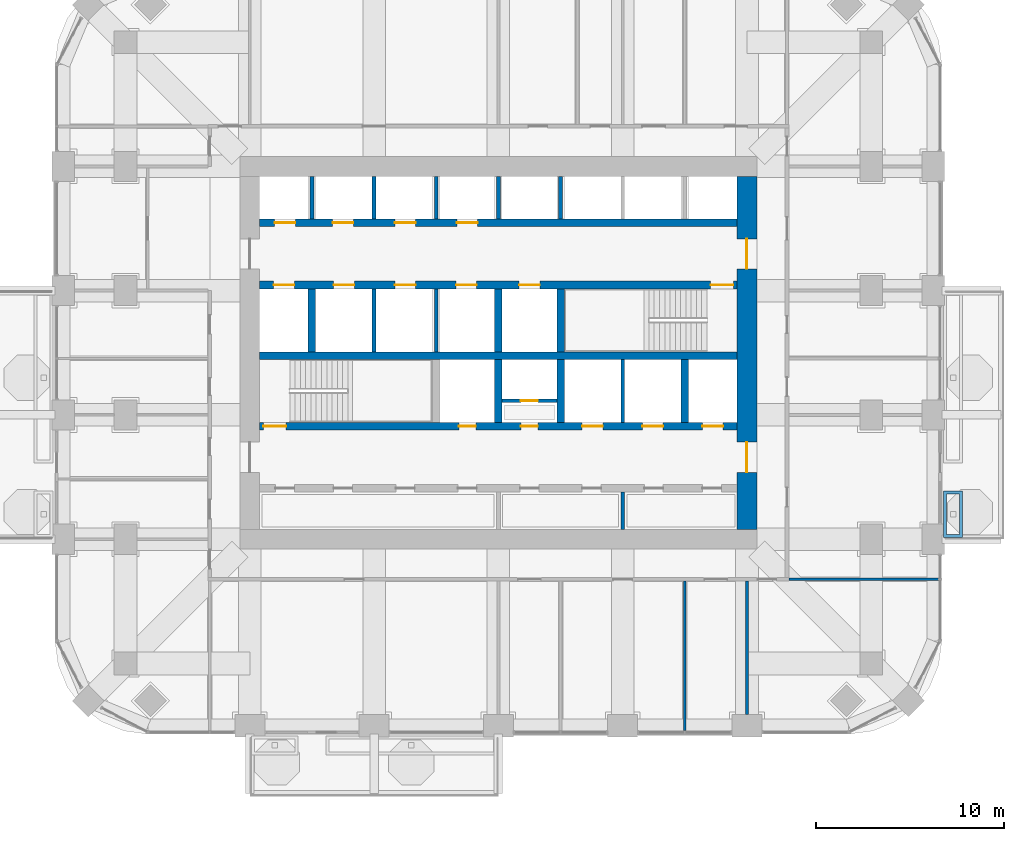
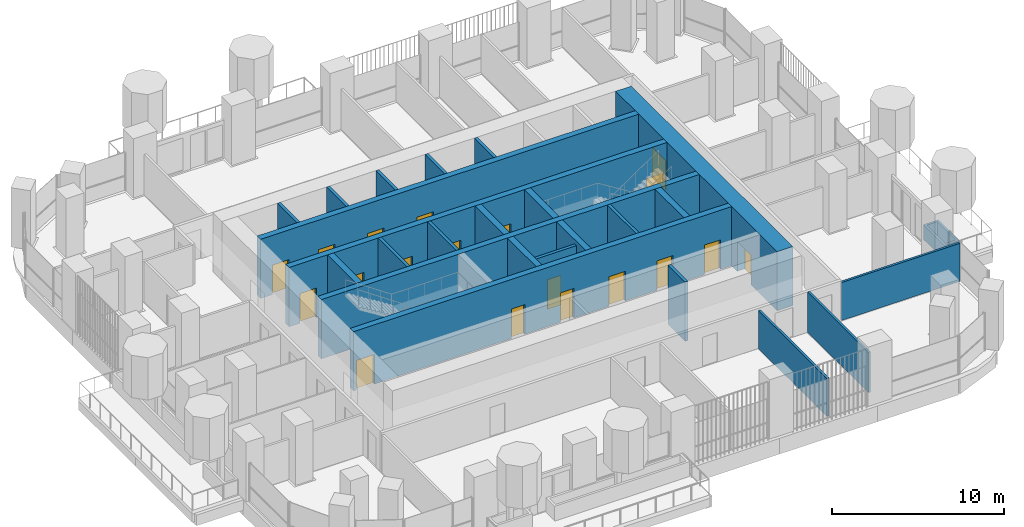
# One storey, part 13 of 20: 25 walls, 19 doors, 19 openings.
"""IFC4 building model written with IfcOpenShell, lengths in metres."""

from ifc_helpers import new_model, si_unit, direction, frame, frame_2d, origin, place, context, subcontext, project, spatial, polyline, rectangle, outline, extrude, material, layer, layer_set, type_object, element, fill, save


model = new_model("IFC4")

# Units and contexts
model_context = context("Model", 3, precision=1e-05, world=origin(), true_north=direction((0.0, 1.0)))
body_context = subcontext(model_context, "Body", "Model", "MODEL_VIEW")
ifc_project = project(units=[si_unit("LENGTHUNIT", "METRE"), si_unit("AREAUNIT", "SQUARE_METRE"), si_unit("VOLUMEUNIT", "CUBIC_METRE"), si_unit("PLANEANGLEUNIT", "RADIAN"), si_unit("MASSUNIT", "GRAM", prefix="KILO")], contexts=[model_context])

# Site, building, storey
site_placement = place(None, origin())
site = spatial("IfcSite", under=ifc_project, at=site_placement, CompositionType="ELEMENT")
building_placement = place(site_placement, origin())
building = spatial("IfcBuilding", under=site, at=building_placement, Name="Cobogo Forest Laboratory Tower", CompositionType="ELEMENT")
storey_placement = place(building_placement, frame((0.0, 0.0, 168.300048828125)))
storey = spatial("IfcBuildingStorey", under=building, at=storey_placement, Name="L38", CompositionType="ELEMENT", Elevation=168.300048828125)

# Wall, openings, doors
ifc_material_1 = material(Name="Concrete HA-50 (C50/60)", Category="concrete")
ifc_layer_1 = layer(ifc_material_1, 0.39990234375)
ifc_layer_set_1 = layer_set([ifc_layer_1], Name="CI400 core inner wall 400")
wall_type_1 = type_object("IfcWallType", Name="CI400 core inner wall 400", PredefinedType="SHEAR", material=ifc_layer_set_1)
wall_1_placement = place(storey_placement, frame((13.72509765625, 19.199951171875, 0.0), z_axis=(0.0, 0.0, 1.0), x_axis=(1.0, 0.0, 0.0)))
wall_1 = element("IfcWall", 1, at=wall_1_placement, inside=storey, type_object=wall_type_1, Name="Core wall CI-19.2 L38", PredefinedType="SHEAR", context=body_context, shape_type="SweptSolid", body=[
    extrude(rectangle(XDim=25.349853515625, YDim=0.39990234375, at=frame_2d((12.6748046875, 0.0))), origin(), (0.0, 0.0, 1.0), 4.199951171875),
])
opening_1_placement = place(wall_1_placement, frame((10.574951171875, 0.0, 0.0)))
opening_1 = element("IfcOpeningElement", 2, at=opening_1_placement, cuts=wall_1, Name="Opening L38-D24", PredefinedType="OPENING", context=body_context, shape_type="SweptSolid", body=[
    extrude(rectangle(XDim=0.89990234375, YDim=2.10009765625, at=frame_2d((0.449951171875, 1.050048828125))), frame((0.0, 0.2099609375, 0.0), z_axis=(0.0, -1.0, 0.0), x_axis=(1.0, 0.0, 0.0)), (0.0, 0.0, 1.0), 0.419921875),
])
opening_2_placement = place(wall_1_placement, frame((13.875, 0.0, 0.0)))
opening_2 = element("IfcOpeningElement", 3, at=opening_2_placement, cuts=wall_1, Name="Opening L38-D25", PredefinedType="OPENING", context=body_context, shape_type="SweptSolid", body=[
    extrude(rectangle(XDim=0.89990234375, YDim=2.10009765625, at=frame_2d((0.449951171875, 1.050048828125))), frame((0.0, 0.2099609375, 0.0), z_axis=(0.0, -1.0, 0.0), x_axis=(1.0, 0.0, 0.0)), (0.0, 0.0, 1.0), 0.419921875),
])
opening_3_placement = place(wall_1_placement, frame((0.199951171875, 0.0, 0.0)))
opening_3 = element("IfcOpeningElement", 4, at=opening_3_placement, cuts=wall_1, Name="Opening L38-D23", PredefinedType="OPENING", context=body_context, shape_type="SweptSolid", body=[
    extrude(rectangle(XDim=1.199951171875, YDim=2.10009765625, at=frame_2d((0.60009765625, 1.050048828125))), frame((0.0, 0.2099609375, 0.0), z_axis=(0.0, -1.0, 0.0), x_axis=(1.0, 0.0, 0.0)), (0.0, 0.0, 1.0), 0.419921875),
])
opening_4_placement = place(wall_1_placement, frame((23.512451171875, 0.0, 0.0)))
opening_4 = element("IfcOpeningElement", 5, at=opening_4_placement, cuts=wall_1, Name="Opening L38-LD-FL2", PredefinedType="OPENING", context=body_context, shape_type="SweptSolid", body=[
    extrude(rectangle(XDim=1.10009765625, YDim=2.10009765625, at=frame_2d((0.550048828125, 1.050048828125))), frame((0.0, 0.2099609375, 0.0), z_axis=(0.0, -1.0, 0.0), x_axis=(1.0, 0.0, 0.0)), (0.0, 0.0, 1.0), 0.419921875),
])
opening_5_placement = place(wall_1_placement, frame((17.125, 0.0, 0.0)))
opening_5 = element("IfcOpeningElement", 6, at=opening_5_placement, cuts=wall_1, Name="Opening L38-LD-LS1", PredefinedType="OPENING", context=body_context, shape_type="SweptSolid", body=[
    extrude(rectangle(XDim=1.10009765625, YDim=2.10009765625, at=frame_2d((0.550048828125, 1.050048828125))), frame((0.0, 0.2099609375, 0.0), z_axis=(0.0, -1.0, 0.0), x_axis=(1.0, 0.0, 0.0)), (0.0, 0.0, 1.0), 0.419921875),
])
opening_6_placement = place(wall_1_placement, frame((20.324951171875, 0.0, 0.0)))
opening_6 = element("IfcOpeningElement", 7, at=opening_6_placement, cuts=wall_1, Name="Opening L38-LD-LS2", PredefinedType="OPENING", context=body_context, shape_type="SweptSolid", body=[
    extrude(rectangle(XDim=1.10009765625, YDim=2.10009765625, at=frame_2d((0.550048828125, 1.050048828125))), frame((0.0, 0.2099609375, 0.0), z_axis=(0.0, -1.0, 0.0), x_axis=(1.0, 0.0, 0.0)), (0.0, 0.0, 1.0), 0.419921875),
])
ifc_material_2 = material(Name="Steel fire door", Category="steel")
door_type_1 = type_object("IfcDoorType", Name="DS1 protected stair door 1200 EI2 60", OperationType="SINGLE_SWING_LEFT", PredefinedType="DOOR", material=ifc_material_2)
door_1_placement = place(opening_3_placement, origin())
door_1 = element("IfcDoor", 8, at=door_1_placement, inside=storey, type_object=door_type_1, Name="Door L38-ST1", OperationType="SINGLE_SWING_LEFT", OverallHeight=2.10009765625, OverallWidth=1.199951171875, PredefinedType="DOOR", context=body_context, shape_type="SweptSolid", body=[
    extrude(rectangle(XDim=1.199951171875, YDim=2.10009765625, at=frame_2d((0.60009765625, 1.050048828125))), frame((0.0, 0.02490234375, 0.0), z_axis=(0.0, -1.0, 0.0), x_axis=(1.0, 0.0, 0.0)), (0.0, 0.0, 1.0), 0.050048828125),
])
fill(opening_3, door_1)
door_type_2 = type_object("IfcDoorType", Name="FD4 riser access door 900 EI2 60", OperationType="SINGLE_SWING_LEFT", PredefinedType="DOOR", material=ifc_material_2)
door_2_placement = place(opening_1_placement, origin())
door_2 = element("IfcDoor", 9, at=door_2_placement, inside=storey, type_object=door_type_2, Name="Door L38-R1", OperationType="SINGLE_SWING_LEFT", OverallHeight=2.10009765625, OverallWidth=0.89990234375, PredefinedType="DOOR", context=body_context, shape_type="SweptSolid", body=[
    extrude(rectangle(XDim=0.89990234375, YDim=2.10009765625, at=frame_2d((0.449951171875, 1.050048828125))), frame((0.0, 0.02490234375, 0.0), z_axis=(0.0, -1.0, 0.0), x_axis=(1.0, 0.0, 0.0)), (0.0, 0.0, 1.0), 0.050048828125),
])
fill(opening_1, door_2)
door_3_placement = place(opening_2_placement, origin())
door_3 = element("IfcDoor", 10, at=door_3_placement, inside=storey, type_object=door_type_2, Name="Door L38-R2V", OperationType="SINGLE_SWING_RIGHT", OverallHeight=2.10009765625, OverallWidth=0.89990234375, PredefinedType="DOOR", context=body_context, shape_type="SweptSolid", body=[
    extrude(rectangle(XDim=0.89990234375, YDim=2.10009765625, at=frame_2d((0.449951171875, 1.050048828125))), frame((0.0, 0.02490234375, 0.0), z_axis=(0.0, -1.0, 0.0), x_axis=(1.0, 0.0, 0.0)), (0.0, 0.0, 1.0), 0.050048828125),
])
fill(opening_2, door_3)
ifc_material_3 = material(Name="Stainless steel lift door", Category="steel")
door_type_3 = type_object("IfcDoorType", Name="LD lift landing door 1100", OperationType="DOUBLE_DOOR_SLIDING", PredefinedType="DOOR", material=ifc_material_3)
door_4_placement = place(opening_4_placement, origin())
door_4 = element("IfcDoor", 11, at=door_4_placement, inside=storey, type_object=door_type_3, Name="Lift landing door FL2 L38", OperationType="DOUBLE_DOOR_SLIDING", OverallHeight=2.10009765625, OverallWidth=1.10009765625, PredefinedType="DOOR", context=body_context, shape_type="SweptSolid", body=[
    extrude(rectangle(XDim=1.10009765625, YDim=2.10009765625, at=frame_2d((0.550048828125, 1.050048828125))), frame((0.0, 0.02490234375, 0.0), z_axis=(0.0, -1.0, 0.0), x_axis=(1.0, 0.0, 0.0)), (0.0, 0.0, 1.0), 0.050048828125),
])
fill(opening_4, door_4)
door_5_placement = place(opening_5_placement, origin())
door_5 = element("IfcDoor", 12, at=door_5_placement, inside=storey, type_object=door_type_3, Name="Lift landing door LS1 L38", OperationType="DOUBLE_DOOR_SLIDING", OverallHeight=2.10009765625, OverallWidth=1.10009765625, PredefinedType="DOOR", context=body_context, shape_type="SweptSolid", body=[
    extrude(rectangle(XDim=1.10009765625, YDim=2.10009765625, at=frame_2d((0.550048828125, 1.050048828125))), frame((0.0, 0.02490234375, 0.0), z_axis=(0.0, -1.0, 0.0), x_axis=(1.0, 0.0, 0.0)), (0.0, 0.0, 1.0), 0.050048828125),
])
fill(opening_5, door_5)
door_6_placement = place(opening_6_placement, origin())
door_6 = element("IfcDoor", 13, at=door_6_placement, inside=storey, type_object=door_type_3, Name="Lift landing door LS2 L38", OperationType="DOUBLE_DOOR_SLIDING", OverallHeight=2.10009765625, OverallWidth=1.10009765625, PredefinedType="DOOR", context=body_context, shape_type="SweptSolid", body=[
    extrude(rectangle(XDim=1.10009765625, YDim=2.10009765625, at=frame_2d((0.550048828125, 1.050048828125))), frame((0.0, 0.02490234375, 0.0), z_axis=(0.0, -1.0, 0.0), x_axis=(1.0, 0.0, 0.0)), (0.0, 0.0, 1.0), 0.050048828125),
])
fill(opening_6, door_6)

# Wall
wall_2_placement = place(storey_placement, frame((13.72509765625, 22.949951171875, 0.0), z_axis=(0.0, 0.0, 1.0), x_axis=(1.0, 0.0, 0.0)))
element("IfcWall", 14, at=wall_2_placement, inside=storey, type_object=wall_type_1, Name="Core wall CI-22.95 L38", PredefinedType="SHEAR", context=body_context, shape_type="SweptSolid", body=[
    extrude(rectangle(XDim=25.349853515625, YDim=0.39990234375, at=frame_2d((12.6748046875, 0.0))), origin(), (0.0, 0.0, 1.0), 4.199951171875),
])

# Wall, openings, doors
wall_3_placement = place(storey_placement, frame((13.72509765625, 26.699951171875, 0.0), z_axis=(0.0, 0.0, 1.0), x_axis=(1.0, 0.0, 0.0)))
wall_3 = element("IfcWall", 15, at=wall_3_placement, inside=storey, type_object=wall_type_1, Name="Core wall CI-26.7 L38", PredefinedType="SHEAR", context=body_context, shape_type="SweptSolid", body=[
    extrude(rectangle(XDim=25.349853515625, YDim=0.39990234375, at=frame_2d((12.6748046875, 0.0))), origin(), (0.0, 0.0, 1.0), 4.199951171875),
])
opening_7_placement = place(wall_3_placement, frame((23.949951171875, 0.0, 0.0)))
opening_7 = element("IfcOpeningElement", 16, at=opening_7_placement, cuts=wall_3, Name="Opening L38-D31", PredefinedType="OPENING", context=body_context, shape_type="SweptSolid", body=[
    extrude(rectangle(XDim=1.199951171875, YDim=2.10009765625, at=frame_2d((0.60009765625, 1.050048828125))), frame((0.0, 0.2099609375, 0.0), z_axis=(0.0, -1.0, 0.0), x_axis=(1.0, 0.0, 0.0)), (0.0, 0.0, 1.0), 0.419921875),
])
opening_8_placement = place(wall_3_placement, frame((0.737548828125, 0.0, 0.0)))
opening_8 = element("IfcOpeningElement", 17, at=opening_8_placement, cuts=wall_3, Name="Opening L38-LD-FL1", PredefinedType="OPENING", context=body_context, shape_type="SweptSolid", body=[
    extrude(rectangle(XDim=1.10009765625, YDim=2.10009765625, at=frame_2d((0.550048828125, 1.050048828125))), frame((0.0, 0.2099609375, 0.0), z_axis=(0.0, -1.0, 0.0), x_axis=(1.0, 0.0, 0.0)), (0.0, 0.0, 1.0), 0.419921875),
])
opening_9_placement = place(wall_3_placement, frame((3.925048828125, 0.0, 0.0)))
opening_9 = element("IfcOpeningElement", 18, at=opening_9_placement, cuts=wall_3, Name="Opening L38-LD-LS3", PredefinedType="OPENING", context=body_context, shape_type="SweptSolid", body=[
    extrude(rectangle(XDim=1.10009765625, YDim=2.10009765625, at=frame_2d((0.550048828125, 1.050048828125))), frame((0.0, 0.2099609375, 0.0), z_axis=(0.0, -1.0, 0.0), x_axis=(1.0, 0.0, 0.0)), (0.0, 0.0, 1.0), 0.419921875),
])
opening_10_placement = place(wall_3_placement, frame((7.175048828125, 0.0, 0.0)))
opening_10 = element("IfcOpeningElement", 19, at=opening_10_placement, cuts=wall_3, Name="Opening L38-LD-LS4", PredefinedType="OPENING", context=body_context, shape_type="SweptSolid", body=[
    extrude(rectangle(XDim=1.10009765625, YDim=2.10009765625, at=frame_2d((0.550048828125, 1.050048828125))), frame((0.0, 0.2099609375, 0.0), z_axis=(0.0, -1.0, 0.0), x_axis=(1.0, 0.0, 0.0)), (0.0, 0.0, 1.0), 0.419921875),
])
opening_11_placement = place(wall_3_placement, frame((10.425048828125, 0.0, 0.0)))
opening_11 = element("IfcOpeningElement", 20, at=opening_11_placement, cuts=wall_3, Name="Opening L38-LD-LS5", PredefinedType="OPENING", context=body_context, shape_type="SweptSolid", body=[
    extrude(rectangle(XDim=1.10009765625, YDim=2.10009765625, at=frame_2d((0.550048828125, 1.050048828125))), frame((0.0, 0.2099609375, 0.0), z_axis=(0.0, -1.0, 0.0), x_axis=(1.0, 0.0, 0.0)), (0.0, 0.0, 1.0), 0.419921875),
])
opening_12_placement = place(wall_3_placement, frame((13.77490234375, 0.0, 0.0)))
opening_12 = element("IfcOpeningElement", 21, at=opening_12_placement, cuts=wall_3, Name="Opening L38-LD-LS6", PredefinedType="OPENING", context=body_context, shape_type="SweptSolid", body=[
    extrude(rectangle(XDim=1.10009765625, YDim=2.10009765625, at=frame_2d((0.550048828125, 1.050048828125))), frame((0.0, 0.2099609375, 0.0), z_axis=(0.0, -1.0, 0.0), x_axis=(1.0, 0.0, 0.0)), (0.0, 0.0, 1.0), 0.419921875),
])
door_7_placement = place(opening_7_placement, origin())
door_7 = element("IfcDoor", 22, at=door_7_placement, inside=storey, type_object=door_type_1, Name="Door L38-ST2", OperationType="SINGLE_SWING_RIGHT", OverallHeight=2.10009765625, OverallWidth=1.199951171875, PredefinedType="DOOR", context=body_context, shape_type="SweptSolid", body=[
    extrude(rectangle(XDim=1.199951171875, YDim=2.10009765625, at=frame_2d((0.60009765625, 1.050048828125))), frame((0.0, 0.02490234375, 0.0), z_axis=(0.0, -1.0, 0.0), x_axis=(1.0, 0.0, 0.0)), (0.0, 0.0, 1.0), 0.050048828125),
])
fill(opening_7, door_7)
door_8_placement = place(opening_8_placement, origin())
door_8 = element("IfcDoor", 23, at=door_8_placement, inside=storey, type_object=door_type_3, Name="Lift landing door FL1 L38", OperationType="DOUBLE_DOOR_SLIDING", OverallHeight=2.10009765625, OverallWidth=1.10009765625, PredefinedType="DOOR", context=body_context, shape_type="SweptSolid", body=[
    extrude(rectangle(XDim=1.10009765625, YDim=2.10009765625, at=frame_2d((0.550048828125, 1.050048828125))), frame((0.0, 0.02490234375, 0.0), z_axis=(0.0, -1.0, 0.0), x_axis=(1.0, 0.0, 0.0)), (0.0, 0.0, 1.0), 0.050048828125),
])
fill(opening_8, door_8)
door_9_placement = place(opening_9_placement, origin())
door_9 = element("IfcDoor", 24, at=door_9_placement, inside=storey, type_object=door_type_3, Name="Lift landing door LS3 L38", OperationType="DOUBLE_DOOR_SLIDING", OverallHeight=2.10009765625, OverallWidth=1.10009765625, PredefinedType="DOOR", context=body_context, shape_type="SweptSolid", body=[
    extrude(rectangle(XDim=1.10009765625, YDim=2.10009765625, at=frame_2d((0.550048828125, 1.050048828125))), frame((0.0, 0.02490234375, 0.0), z_axis=(0.0, -1.0, 0.0), x_axis=(1.0, 0.0, 0.0)), (0.0, 0.0, 1.0), 0.050048828125),
])
fill(opening_9, door_9)
door_10_placement = place(opening_10_placement, origin())
door_10 = element("IfcDoor", 25, at=door_10_placement, inside=storey, type_object=door_type_3, Name="Lift landing door LS4 L38", OperationType="DOUBLE_DOOR_SLIDING", OverallHeight=2.10009765625, OverallWidth=1.10009765625, PredefinedType="DOOR", context=body_context, shape_type="SweptSolid", body=[
    extrude(rectangle(XDim=1.10009765625, YDim=2.10009765625, at=frame_2d((0.550048828125, 1.050048828125))), frame((0.0, 0.02490234375, 0.0), z_axis=(0.0, -1.0, 0.0), x_axis=(1.0, 0.0, 0.0)), (0.0, 0.0, 1.0), 0.050048828125),
])
fill(opening_10, door_10)
door_11_placement = place(opening_11_placement, origin())
door_11 = element("IfcDoor", 26, at=door_11_placement, inside=storey, type_object=door_type_3, Name="Lift landing door LS5 L38", OperationType="DOUBLE_DOOR_SLIDING", OverallHeight=2.10009765625, OverallWidth=1.10009765625, PredefinedType="DOOR", context=body_context, shape_type="SweptSolid", body=[
    extrude(rectangle(XDim=1.10009765625, YDim=2.10009765625, at=frame_2d((0.550048828125, 1.050048828125))), frame((0.0, 0.02490234375, 0.0), z_axis=(0.0, -1.0, 0.0), x_axis=(1.0, 0.0, 0.0)), (0.0, 0.0, 1.0), 0.050048828125),
])
fill(opening_11, door_11)
door_12_placement = place(opening_12_placement, origin())
door_12 = element("IfcDoor", 27, at=door_12_placement, inside=storey, type_object=door_type_3, Name="Lift landing door LS6 L38", OperationType="DOUBLE_DOOR_SLIDING", OverallHeight=2.10009765625, OverallWidth=1.10009765625, PredefinedType="DOOR", context=body_context, shape_type="SweptSolid", body=[
    extrude(rectangle(XDim=1.10009765625, YDim=2.10009765625, at=frame_2d((0.550048828125, 1.050048828125))), frame((0.0, 0.02490234375, 0.0), z_axis=(0.0, -1.0, 0.0), x_axis=(1.0, 0.0, 0.0)), (0.0, 0.0, 1.0), 0.050048828125),
])
fill(opening_12, door_12)

wall_4_placement = place(storey_placement, frame((13.72509765625, 30.0, 0.0), z_axis=(0.0, 0.0, 1.0), x_axis=(1.0, 0.0, 0.0)))
wall_4 = element("IfcWall", 28, at=wall_4_placement, inside=storey, type_object=wall_type_1, Name="Core wall CI-30.0 L38", PredefinedType="SHEAR", context=body_context, shape_type="SweptSolid", body=[
    extrude(rectangle(XDim=25.349853515625, YDim=0.39990234375, at=frame_2d((12.6748046875, 0.0))), origin(), (0.0, 0.0, 1.0), 4.199951171875),
])
opening_13_placement = place(wall_4_placement, frame((0.78759765625, 0.0, 0.0)))
opening_13 = element("IfcOpeningElement", 29, at=opening_13_placement, cuts=wall_4, Name="Opening L38-LD-LC1", PredefinedType="OPENING", context=body_context, shape_type="SweptSolid", body=[
    extrude(rectangle(XDim=1.10009765625, YDim=2.10009765625, at=frame_2d((0.550048828125, 1.050048828125))), frame((0.0, 0.2099609375, 0.0), z_axis=(0.0, -1.0, 0.0), x_axis=(1.0, 0.0, 0.0)), (0.0, 0.0, 1.0), 0.419921875),
])
opening_14_placement = place(wall_4_placement, frame((3.875, 0.0, 0.0)))
opening_14 = element("IfcOpeningElement", 30, at=opening_14_placement, cuts=wall_4, Name="Opening L38-LD-LC2", PredefinedType="OPENING", context=body_context, shape_type="SweptSolid", body=[
    extrude(rectangle(XDim=1.10009765625, YDim=2.10009765625, at=frame_2d((0.550048828125, 1.050048828125))), frame((0.0, 0.2099609375, 0.0), z_axis=(0.0, -1.0, 0.0), x_axis=(1.0, 0.0, 0.0)), (0.0, 0.0, 1.0), 0.419921875),
])
opening_15_placement = place(wall_4_placement, frame((7.175048828125, 0.0, 0.0)))
opening_15 = element("IfcOpeningElement", 31, at=opening_15_placement, cuts=wall_4, Name="Opening L38-LD-LC3", PredefinedType="OPENING", context=body_context, shape_type="SweptSolid", body=[
    extrude(rectangle(XDim=1.10009765625, YDim=2.10009765625, at=frame_2d((0.550048828125, 1.050048828125))), frame((0.0, 0.2099609375, 0.0), z_axis=(0.0, -1.0, 0.0), x_axis=(1.0, 0.0, 0.0)), (0.0, 0.0, 1.0), 0.419921875),
])
opening_16_placement = place(wall_4_placement, frame((10.47509765625, 0.0, 0.0)))
opening_16 = element("IfcOpeningElement", 32, at=opening_16_placement, cuts=wall_4, Name="Opening L38-LD-LC4", PredefinedType="OPENING", context=body_context, shape_type="SweptSolid", body=[
    extrude(rectangle(XDim=1.10009765625, YDim=2.10009765625, at=frame_2d((0.550048828125, 1.050048828125))), frame((0.0, 0.2099609375, 0.0), z_axis=(0.0, -1.0, 0.0), x_axis=(1.0, 0.0, 0.0)), (0.0, 0.0, 1.0), 0.419921875),
])
door_13_placement = place(opening_13_placement, origin())
door_13 = element("IfcDoor", 33, at=door_13_placement, inside=storey, type_object=door_type_3, Name="Lift landing door LC1 L38", OperationType="DOUBLE_DOOR_SLIDING", OverallHeight=2.10009765625, OverallWidth=1.10009765625, PredefinedType="DOOR", context=body_context, shape_type="SweptSolid", body=[
    extrude(rectangle(XDim=1.10009765625, YDim=2.10009765625, at=frame_2d((0.550048828125, 1.050048828125))), frame((0.0, 0.02490234375, 0.0), z_axis=(0.0, -1.0, 0.0), x_axis=(1.0, 0.0, 0.0)), (0.0, 0.0, 1.0), 0.050048828125),
])
fill(opening_13, door_13)
door_14_placement = place(opening_14_placement, origin())
door_14 = element("IfcDoor", 34, at=door_14_placement, inside=storey, type_object=door_type_3, Name="Lift landing door LC2 L38", OperationType="DOUBLE_DOOR_SLIDING", OverallHeight=2.10009765625, OverallWidth=1.10009765625, PredefinedType="DOOR", context=body_context, shape_type="SweptSolid", body=[
    extrude(rectangle(XDim=1.10009765625, YDim=2.10009765625, at=frame_2d((0.550048828125, 1.050048828125))), frame((0.0, 0.02490234375, 0.0), z_axis=(0.0, -1.0, 0.0), x_axis=(1.0, 0.0, 0.0)), (0.0, 0.0, 1.0), 0.050048828125),
])
fill(opening_14, door_14)
door_15_placement = place(opening_15_placement, origin())
door_15 = element("IfcDoor", 35, at=door_15_placement, inside=storey, type_object=door_type_3, Name="Lift landing door LC3 L38", OperationType="DOUBLE_DOOR_SLIDING", OverallHeight=2.10009765625, OverallWidth=1.10009765625, PredefinedType="DOOR", context=body_context, shape_type="SweptSolid", body=[
    extrude(rectangle(XDim=1.10009765625, YDim=2.10009765625, at=frame_2d((0.550048828125, 1.050048828125))), frame((0.0, 0.02490234375, 0.0), z_axis=(0.0, -1.0, 0.0), x_axis=(1.0, 0.0, 0.0)), (0.0, 0.0, 1.0), 0.050048828125),
])
fill(opening_15, door_15)
door_16_placement = place(opening_16_placement, origin())
door_16 = element("IfcDoor", 36, at=door_16_placement, inside=storey, type_object=door_type_3, Name="Lift landing door LC4 L38", OperationType="DOUBLE_DOOR_SLIDING", OverallHeight=2.10009765625, OverallWidth=1.10009765625, PredefinedType="DOOR", context=body_context, shape_type="SweptSolid", body=[
    extrude(rectangle(XDim=1.10009765625, YDim=2.10009765625, at=frame_2d((0.550048828125, 1.050048828125))), frame((0.0, 0.02490234375, 0.0), z_axis=(0.0, -1.0, 0.0), x_axis=(1.0, 0.0, 0.0)), (0.0, 0.0, 1.0), 0.050048828125),
])
fill(opening_16, door_16)

# Walls
for number, where, z_axis, x_axis, name in (
    (37, (26.39990234375, 19.39990234375, 0.0), (0.0, 0.0, 1.0), (0.0, 1.0, 0.0), "Core wall CX-26.4S L38"),
    (38, (29.699951171875, 19.39990234375, 0.0), (0.0, 0.0, 1.0), (0.0, 1.0, 0.0), "Core wall CX-29.7S L38"),
    (39, (36.300048828125, 19.39990234375, 0.0), (0.0, 0.0, 1.0), (0.0, 1.0, 0.0), "Core wall CX-36.3 L38"),
    (40, (16.5, 23.14990234375, 0.0), (0.0, 0.0, 1.0), (0.0, 1.0, 0.0), "Core wall CX-16.5 L38"),
    (41, (26.39990234375, 23.14990234375, 0.0), (0.0, 0.0, 1.0), (0.0, 1.0, 0.0), "Core wall CX-26.4N L38"),
    (42, (29.699951171875, 23.14990234375, 0.0), (0.0, 0.0, 1.0), (0.0, 1.0, 0.0), "Core wall CX-29.7N L38"),
):
    element("IfcWall", number, at=place(storey_placement, frame(where, z_axis=z_axis, x_axis=x_axis)), inside=storey, type_object=wall_type_1, Name=name, PredefinedType="SHEAR", context=body_context, shape_type="SweptSolid", body=[
        extrude(rectangle(XDim=3.35009765625, YDim=0.39990234375, at=frame_2d((1.675048828125, 0.0))), origin(), (0.0, 0.0, 1.0), 4.199951171875),
    ])

# Wall, openings, doors
ifc_layer_2 = layer(ifc_material_1, 1.050048828125)
ifc_layer_set_2 = layer_set([ifc_layer_2], Name="CW1050 core outer wall 1050")
wall_type_2 = type_object("IfcWallType", Name="CW1050 core outer wall 1050", PredefinedType="SHEAR", material=ifc_layer_set_2)
wall_5_placement = place(storey_placement, frame((39.60009765625, 13.72509765625, 0.0), z_axis=(0.0, 0.0, 1.0), x_axis=(0.0, 1.0, 0.0)))
wall_5 = element("IfcWall", 43, at=wall_5_placement, inside=storey, type_object=wall_type_2, Name="Core wall CO-E L38", PredefinedType="SHEAR", context=body_context, shape_type="SweptSolid", body=[
    extrude(rectangle(XDim=18.75, YDim=1.050048828125, at=frame_2d((9.375, 0.0))), origin(), (0.0, 0.0, 1.0), 4.199951171875),
])
opening_17_placement = place(wall_5_placement, frame((3.02490234375, 0.0, 0.0)))
opening_17 = element("IfcOpeningElement", 44, at=opening_17_placement, cuts=wall_5, Name="Opening L38-D21", PredefinedType="OPENING", context=body_context, shape_type="SweptSolid", body=[
    extrude(rectangle(XDim=1.60009765625, YDim=2.10009765625, at=frame_2d((0.800048828125, 1.050048828125))), frame((0.0, 0.534912109375, 0.0), z_axis=(0.0, -1.0, 0.0), x_axis=(1.0, 0.0, 0.0)), (0.0, 0.0, 1.0), 1.070068359375),
])
opening_18_placement = place(wall_5_placement, frame((13.824951171875, 0.0, 0.0)))
opening_18 = element("IfcOpeningElement", 45, at=opening_18_placement, cuts=wall_5, Name="Opening L38-D33", PredefinedType="OPENING", context=body_context, shape_type="SweptSolid", body=[
    extrude(rectangle(XDim=1.60009765625, YDim=2.10009765625, at=frame_2d((0.800048828125, 1.050048828125))), frame((0.0, 0.534912109375, 0.0), z_axis=(0.0, -1.0, 0.0), x_axis=(1.0, 0.0, 0.0)), (0.0, 0.0, 1.0), 1.070068359375),
])
door_type_4 = type_object("IfcDoorType", Name="DS2 protected lobby door pair 1600 EI2 60", OperationType="DOUBLE_DOOR_DOUBLE_SWING", PredefinedType="DOOR", material=ifc_material_2)
door_17_placement = place(opening_17_placement, origin())
door_17 = element("IfcDoor", 46, at=door_17_placement, inside=storey, type_object=door_type_4, Name="Door L38-CO-E-S", OperationType="DOUBLE_DOOR_DOUBLE_SWING", OverallHeight=2.10009765625, OverallWidth=1.60009765625, PredefinedType="DOOR", context=body_context, shape_type="SweptSolid", body=[
    extrude(rectangle(XDim=1.60009765625, YDim=2.10009765625, at=frame_2d((0.800048828125, 1.050048828125))), frame((0.0, 0.02490234375, 0.0), z_axis=(0.0, -1.0, 0.0), x_axis=(1.0, 0.0, 0.0)), (0.0, 0.0, 1.0), 0.050048828125),
])
fill(opening_17, door_17)
door_18_placement = place(opening_18_placement, origin())
door_18 = element("IfcDoor", 47, at=door_18_placement, inside=storey, type_object=door_type_4, Name="Door L38-CO-E-N", OperationType="DOUBLE_DOOR_DOUBLE_SWING", OverallHeight=2.10009765625, OverallWidth=1.60009765625, PredefinedType="DOOR", context=body_context, shape_type="SweptSolid", body=[
    extrude(rectangle(XDim=1.60009765625, YDim=2.10009765625, at=frame_2d((0.800048828125, 1.050048828125))), frame((0.0, 0.02490234375, 0.0), z_axis=(0.0, -1.0, 0.0), x_axis=(1.0, 0.0, 0.0)), (0.0, 0.0, 1.0), 0.050048828125),
])
fill(opening_18, door_18)

# Walls
ifc_material_4 = material(Name="Gypsum board on steel studs", Category="steel")
ifc_layer_3 = layer(ifc_material_4, 0.14990234375)
ifc_layer_set_3 = layer_set([ifc_layer_3], Name="PT1 laboratory partition 150")
wall_type_3 = type_object("IfcWallType", Name="PT1 laboratory partition 150", PredefinedType="PARTITIONING", material=ifc_layer_set_3)
for number, where, z_axis, x_axis, name in (
    (48, (49.77001953125, 11.074951171875, 0.0), (0.0, 0.0, 1.0), (-1.0, 0.0, 0.0), "Partition PW-SE L38"),
    (49, (36.300048828125, 3.030029296875, 0.0), (0.0, 0.0, 1.0), (0.0, 1.0, 0.0), "Partition CUT-S36.3-1 L38"),
):
    element("IfcWall", number, at=place(storey_placement, frame(where, z_axis=z_axis, x_axis=x_axis)), inside=storey, type_object=wall_type_3, Name=name, PredefinedType="PARTITIONING", context=body_context, shape_type="SweptSolid", body=[
        extrude(rectangle(XDim=7.945068359375, YDim=0.14990234375, at=frame_2d((3.97265625, 0.0))), origin(), (0.0, 0.0, 1.0), 2.699951171875),
    ])
wall_6_placement = place(storey_placement, frame((39.60009765625, 3.89990234375, 0.0), z_axis=(0.0, 0.0, 1.0), x_axis=(0.0, 1.0, 0.0)))
element("IfcWall", 50, at=wall_6_placement, inside=storey, type_object=wall_type_3, Name="Partition CUT-S39.6-1 L38", PredefinedType="PARTITIONING", context=body_context, shape_type="SweptSolid", body=[
    extrude(rectangle(XDim=7.0751953125, YDim=0.14990234375, at=frame_2d((3.53759765625, 0.0))), origin(), (0.0, 0.0, 1.0), 2.849853515625),
])

# Wall, opening, door
ifc_layer_4 = layer(ifc_material_4, 0.199951171875)
ifc_layer_set_4 = layer_set([ifc_layer_4], Name="PT2 fire-rated corridor partition 200")
wall_type_4 = type_object("IfcWallType", Name="PT2 fire-rated corridor partition 200", PredefinedType="PARTITIONING", material=ifc_layer_set_4)
wall_7_placement = place(storey_placement, frame((26.60009765625, 20.550048828125, 0.0), z_axis=(0.0, 0.0, 1.0), x_axis=(1.0, 0.0, 0.0)))
wall_7 = element("IfcWall", 51, at=wall_7_placement, inside=storey, type_object=wall_type_4, Name="Partition RSPLIT-R2 L38", PredefinedType="PARTITIONING", context=body_context, shape_type="SweptSolid", body=[
    extrude(rectangle(XDim=2.89990234375, YDim=0.199951171875, at=frame_2d((1.449951171875, 0.0))), origin(), (0.0, 0.0, 1.0), 3.89990234375),
])
opening_19_placement = place(wall_7_placement, frame((1.0, 0.0, 0.0)))
opening_19 = element("IfcOpeningElement", 52, at=opening_19_placement, cuts=wall_7, Name="Opening L38-D26", PredefinedType="OPENING", context=body_context, shape_type="SweptSolid", body=[
    extrude(rectangle(XDim=0.89990234375, YDim=2.10009765625, at=frame_2d((0.449951171875, 1.050048828125))), frame((0.0, 0.10986328125, 0.0), z_axis=(0.0, -1.0, 0.0), x_axis=(1.0, 0.0, 0.0)), (0.0, 0.0, 1.0), 0.219970703125),
])
door_19_placement = place(opening_19_placement, origin())
door_19 = element("IfcDoor", 53, at=door_19_placement, inside=storey, type_object=door_type_2, Name="Door L38-R2", OperationType="SINGLE_SWING_LEFT", OverallHeight=2.10009765625, OverallWidth=0.89990234375, PredefinedType="DOOR", context=body_context, shape_type="SweptSolid", body=[
    extrude(rectangle(XDim=0.89990234375, YDim=2.10009765625, at=frame_2d((0.449951171875, 1.050048828125))), frame((0.0, 0.02490234375, 0.0), z_axis=(0.0, -1.0, 0.0), x_axis=(1.0, 0.0, 0.0)), (0.0, 0.0, 1.0), 0.050048828125),
])
fill(opening_19, door_19)

# Walls
ifc_material_5 = material(Name="Concrete HA-40 (C40/50)", Category="concrete")
ifc_layer_5 = layer(ifc_material_5, 0.14990234375)
ifc_layer_set_5 = layer_set([ifc_layer_5], Name="Planter box 1000x1050")
wall_type_5 = type_object("IfcWallType", Name="Planter box 1000x1050", PredefinedType="USERDEFINED", material=ifc_layer_set_5)
wall_8_placement = place(storey_placement, origin())
element("IfcWall", 54, at=wall_8_placement, inside=storey, type_object=wall_type_5, Name="Planter BAL-E1-1 L38", ObjectType="PLANTER", PredefinedType="USERDEFINED", context=body_context, shape_type="SweptSolid", body=[
    extrude(outline(polyline([(50.050048828125, 13.300048828125), (51.050048828125, 13.300048828125), (51.050048828125, 15.75), (50.050048828125, 15.75), (50.050048828125, 13.300048828125)]), holes=[polyline([(50.199951171875, 13.449951171875), (50.89990234375, 13.449951171875), (50.89990234375, 15.60009765625), (50.199951171875, 15.60009765625), (50.199951171875, 13.449951171875)])]), origin(), (0.0, 0.0, 1.0), 1.050048828125),
])
ifc_material_6 = material(Name="Concrete block", Category="concrete")
ifc_layer_6 = layer(ifc_material_6, 0.199951171875)
ifc_layer_set_6 = layer_set([ifc_layer_6], Name="SW200 lift shaft separator 200")
wall_type_6 = type_object("IfcWallType", Name="SW200 lift shaft separator 200", PredefinedType="PARTITIONING", material=ifc_layer_set_6)
for number, where, z_axis, x_axis, name in (
    (55, (16.5, 30.199951171875, 0.0), (0.0, 0.0, 1.0), (0.0, 1.0, 0.0), "Core wall SEP-N1 L38"),
    (56, (19.800048828125, 30.199951171875, 0.0), (0.0, 0.0, 1.0), (0.0, 1.0, 0.0), "Core wall SEP-N2 L38"),
    (57, (23.10009765625, 30.199951171875, 0.0), (0.0, 0.0, 1.0), (0.0, 1.0, 0.0), "Core wall SEP-N3 L38"),
    (58, (26.39990234375, 30.199951171875, 0.0), (0.0, 0.0, 1.0), (0.0, 1.0, 0.0), "Core wall SEP-N4 L38"),
    (59, (29.699951171875, 30.199951171875, 0.0), (0.0, 0.0, 1.0), (0.0, 1.0, 0.0), "Core wall SEP-N5 L38"),
):
    element("IfcWall", number, at=place(storey_placement, frame(where, z_axis=z_axis, x_axis=x_axis)), inside=storey, type_object=wall_type_6, Name=name, PredefinedType="PARTITIONING", context=body_context, shape_type="SweptSolid", body=[
        extrude(rectangle(XDim=2.275146484375, YDim=0.199951171875, at=frame_2d((1.1376953125, 0.0))), origin(), (0.0, 0.0, 1.0), 4.199951171875),
    ])
wall_9_placement = place(storey_placement, frame((33.0, 13.72509765625, 0.0), z_axis=(0.0, 0.0, 1.0), x_axis=(0.0, 1.0, 0.0)))
element("IfcWall", 60, at=wall_9_placement, inside=storey, type_object=wall_type_6, Name="Core wall SEP-S6 L38", PredefinedType="PARTITIONING", context=body_context, shape_type="SweptSolid", body=[
    extrude(rectangle(XDim=1.974853515625, YDim=0.199951171875, at=frame_2d((0.9873046875, 0.0))), origin(), (0.0, 0.0, 1.0), 4.199951171875),
])
for number, where, z_axis, x_axis, name in (
    (61, (33.0, 19.39990234375, 0.0), (0.0, 0.0, 1.0), (0.0, 1.0, 0.0), "Core wall SEP-M33.0 L38"),
    (62, (19.800048828125, 23.14990234375, 0.0), (0.0, 0.0, 1.0), (0.0, 1.0, 0.0), "Core wall SEP-M19.8 L38"),
    (63, (23.10009765625, 23.14990234375, 0.0), (0.0, 0.0, 1.0), (0.0, 1.0, 0.0), "Core wall SEP-M23.1 L38"),
):
    element("IfcWall", number, at=place(storey_placement, frame(where, z_axis=z_axis, x_axis=x_axis)), inside=storey, type_object=wall_type_6, Name=name, PredefinedType="PARTITIONING", context=body_context, shape_type="SweptSolid", body=[
        extrude(rectangle(XDim=3.35009765625, YDim=0.199951171875, at=frame_2d((1.675048828125, 0.0))), origin(), (0.0, 0.0, 1.0), 4.199951171875),
    ])

save(model, "model.ifc")
